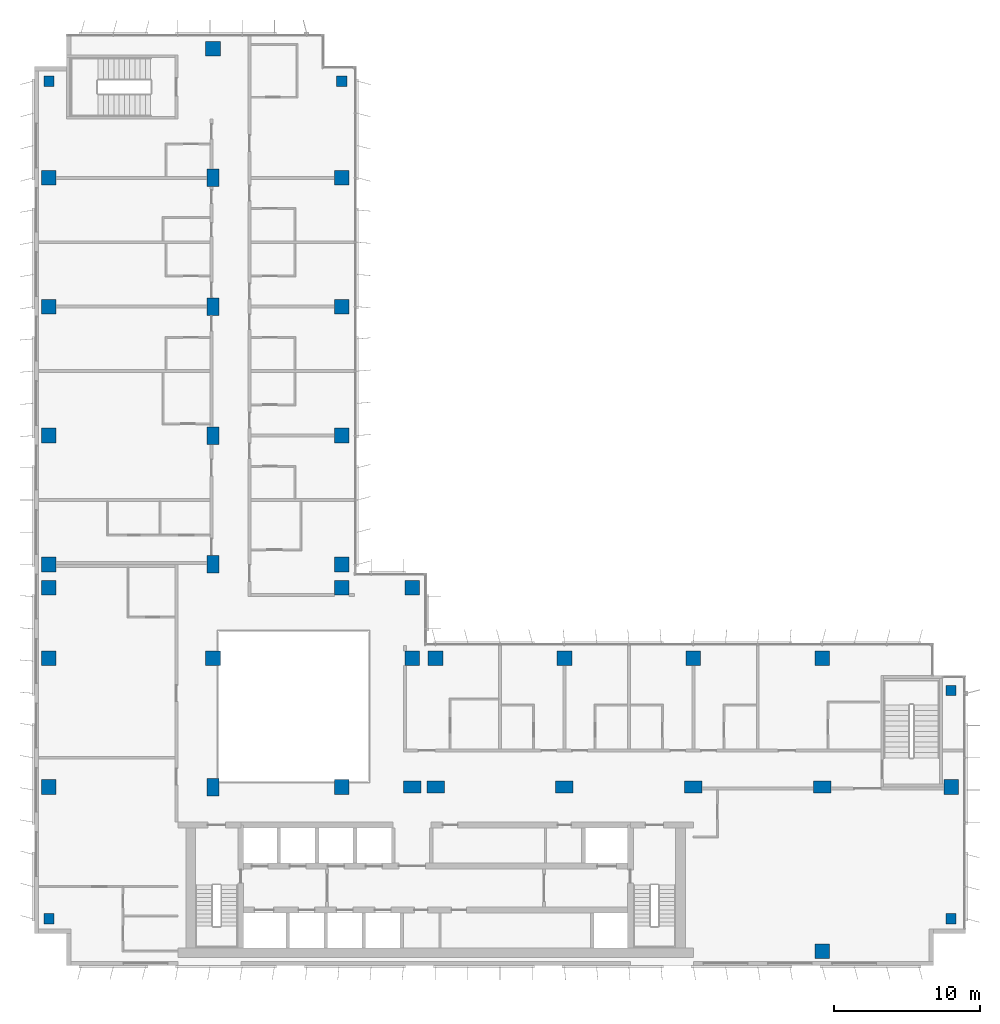
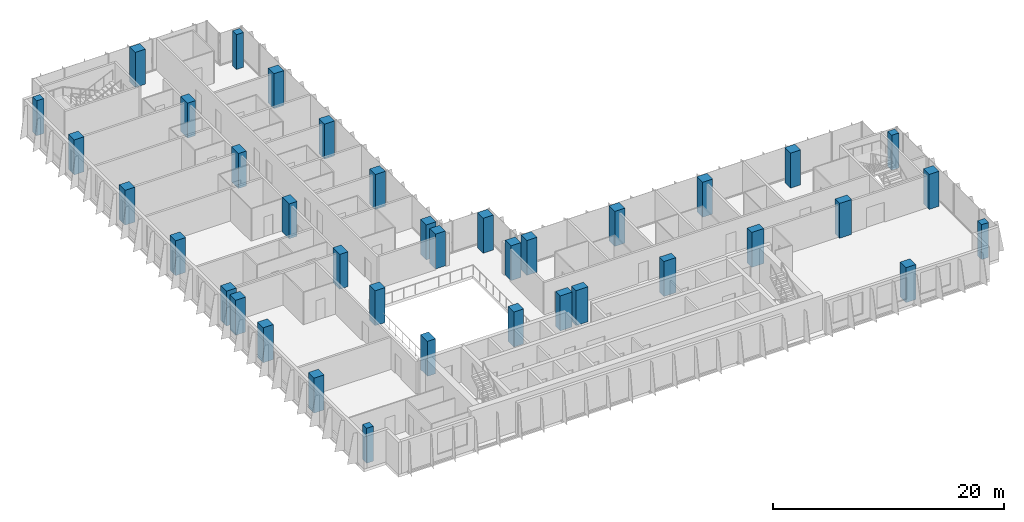
# One storey, part 1 of 21: 38 columns.
"""IFC4 building model written with IfcOpenShell, lengths in metres."""

from ifc_helpers import new_model, si_unit, direction, frame, origin, origin_2d, place, context, subcontext, project, spatial, rectangle, extrude, material, material_profile, profile_set, type_object, element, save


model = new_model("IFC4")

# Units and contexts
model_context = context("Model", 3, precision=1e-05, world=origin(), true_north=direction((0.0, 1.0)))
body_context = subcontext(model_context, "Body", "Model", "MODEL_VIEW")
ifc_project = project(units=[si_unit("LENGTHUNIT", "METRE"), si_unit("AREAUNIT", "SQUARE_METRE"), si_unit("VOLUMEUNIT", "CUBIC_METRE"), si_unit("PLANEANGLEUNIT", "RADIAN"), si_unit("MASSUNIT", "GRAM", prefix="KILO")], contexts=[model_context])

# Site, building, storey
site_placement = place(None, origin())
site = spatial("IfcSite", under=ifc_project, at=site_placement, CompositionType="ELEMENT")
building_placement = place(site_placement, origin())
building = spatial("IfcBuilding", under=site, at=building_placement, Name="Kemantara Hotel Tower", CompositionType="ELEMENT")
storey_placement = place(building_placement, frame((0.0, 0.0, 182.699951171875)))
storey = spatial("IfcBuildingStorey", under=building, at=storey_placement, Name="L45", CompositionType="ELEMENT", Elevation=182.699951171875)

# Columns
ifc_material = material(Name="Concrete fc 60 MPa", Category="concrete")
ifc_material_profile_1 = material_profile(ifc_material, rectangle(XDim=1.0, YDim=1.0, at=origin_2d()), Name="RC 1000X1000")
ifc_profile_set_1 = profile_set([ifc_material_profile_1], Name="Concrete fc 60 MPa")
column_type_1 = type_object("IfcColumnType", Name="RC COLUMN 1000X1000 FC60", PredefinedType="COLUMN", material=ifc_profile_set_1)
for number, where, z_axis, x_axis, name in (
    (1, (1.0, 12.199951171875, 0.0), (0.0, 0.0, 1.0), (1.0, 0.0, 0.0), "COLUMN 1/BA L45"),
    (2, (1.0, 21.0, 0.0), (0.0, 0.0, 1.0), (1.0, 0.0, 0.0), "COLUMN 1/C L45"),
    (3, (1.0, 25.800048828125, 0.0), (0.0, 0.0, 1.0), (1.0, 0.0, 0.0), "COLUMN 1/CA L45"),
    (4, (1.0, 27.39990234375, 0.0), (0.0, 0.0, 1.0), (1.0, 0.0, 0.0), "COLUMN 1/D L45"),
    (5, (1.0, 36.199951171875, 0.0), (0.0, 0.0, 1.0), (1.0, 0.0, 0.0), "COLUMN 1/E L45"),
    (6, (1.0, 45.0, 0.0), (0.0, 0.0, 1.0), (1.0, 0.0, 0.0), "COLUMN 1/F L45"),
    (7, (1.0, 53.800048828125, 0.0), (0.0, 0.0, 1.0), (1.0, 0.0, 0.0), "COLUMN 1/G L45"),
    (8, (12.199951171875, 21.0, 0.0), (0.0, 0.0, 1.0), (1.0, 0.0, 0.0), "COLUMN 2A/C L45"),
    (9, (12.199951171875, 62.60009765625, 0.0), (0.0, 0.0, 1.0), (1.0, 0.0, 0.0), "COLUMN 2A/H L45"),
    (10, (21.0, 12.199951171875, 0.0), (0.0, 0.0, 1.0), (1.0, 0.0, 0.0), "COLUMN 3/BA L45"),
    (11, (21.0, 25.800048828125, 0.0), (0.0, 0.0, 1.0), (1.0, 0.0, 0.0), "COLUMN 3/CA L45"),
    (12, (21.0, 27.39990234375, 0.0), (0.0, 0.0, 1.0), (1.0, 0.0, 0.0), "COLUMN 3/D L45"),
    (13, (21.0, 36.199951171875, 0.0), (0.0, 0.0, 1.0), (1.0, 0.0, 0.0), "COLUMN 3/E L45"),
    (14, (21.0, 45.0, 0.0), (0.0, 0.0, 1.0), (1.0, 0.0, 0.0), "COLUMN 3/F L45"),
    (15, (21.0, 53.800048828125, 0.0), (0.0, 0.0, 1.0), (1.0, 0.0, 0.0), "COLUMN 3/G L45"),
    (16, (25.800048828125, 21.0, 0.0), (0.0, 0.0, 1.0), (1.0, 0.0, 0.0), "COLUMN 3A/C L45"),
    (17, (25.800048828125, 25.800048828125, 0.0), (0.0, 0.0, 1.0), (1.0, 0.0, 0.0), "COLUMN 3A/CA L45"),
    (18, (27.39990234375, 21.0, 0.0), (0.0, 0.0, 1.0), (1.0, 0.0, 0.0), "COLUMN 4/C L45"),
    (19, (36.199951171875, 21.0, 0.0), (0.0, 0.0, 1.0), (1.0, 0.0, 0.0), "COLUMN 5/C L45"),
    (20, (45.0, 21.0, 0.0), (0.0, 0.0, 1.0), (1.0, 0.0, 0.0), "COLUMN 6/C L45"),
    (21, (53.800048828125, 1.0, 0.0), (0.0, 0.0, 1.0), (1.0, 0.0, 0.0), "COLUMN 7/A L45"),
    (22, (53.800048828125, 21.0, 0.0), (0.0, 0.0, 1.0), (1.0, 0.0, 0.0), "COLUMN 7/C L45"),
    (23, (62.60009765625, 12.199951171875, 0.0), (0.0, 0.0, 1.0), (1.0, 0.0, 0.0), "COLUMN 8/BA L45"),
):
    element("IfcColumn", number, at=place(storey_placement, frame(where, z_axis=z_axis, x_axis=x_axis)), inside=storey, type_object=column_type_1, Name=name, PredefinedType="COLUMN", context=body_context, shape_type="SweptSolid", body=[
        extrude(rectangle(XDim=1.0, YDim=1.0, at=origin_2d()), origin(), (0.0, 0.0, 1.0), 3.699951171875),
    ])
ifc_material_profile_2 = material_profile(ifc_material, rectangle(XDim=1.199951171875, YDim=0.800048828125, at=origin_2d()), Name="RC 1200X800")
ifc_profile_set_2 = profile_set([ifc_material_profile_2], Name="Concrete fc 60 MPa")
column_type_2 = type_object("IfcColumnType", Name="RC COLUMN 1200X800 FC60", PredefinedType="COLUMN", material=ifc_profile_set_2)
for number, where, z_axis, x_axis, name in (
    (24, (12.199951171875, 12.199951171875, 0.0), (0.0, 0.0, 1.0), (0.0, 1.0, 0.0), "COLUMN 2A/BA L45"),
    (25, (12.199951171875, 27.39990234375, 0.0), (0.0, 0.0, 1.0), (0.0, 1.0, 0.0), "COLUMN 2A/D L45"),
    (26, (12.199951171875, 36.199951171875, 0.0), (0.0, 0.0, 1.0), (0.0, 1.0, 0.0), "COLUMN 2A/E L45"),
    (27, (12.199951171875, 45.0, 0.0), (0.0, 0.0, 1.0), (0.0, 1.0, 0.0), "COLUMN 2A/F L45"),
    (28, (12.199951171875, 53.800048828125, 0.0), (0.0, 0.0, 1.0), (0.0, 1.0, 0.0), "COLUMN 2A/G L45"),
    (29, (25.800048828125, 12.199951171875, 0.0), (0.0, 0.0, 1.0), (1.0, 0.0, 0.0), "COLUMN 3A/BA L45"),
    (30, (27.39990234375, 12.199951171875, 0.0), (0.0, 0.0, 1.0), (1.0, 0.0, 0.0), "COLUMN 4/BA L45"),
    (31, (36.199951171875, 12.199951171875, 0.0), (0.0, 0.0, 1.0), (1.0, 0.0, 0.0), "COLUMN 5/BA L45"),
    (32, (45.0, 12.199951171875, 0.0), (0.0, 0.0, 1.0), (1.0, 0.0, 0.0), "COLUMN 6/BA L45"),
    (33, (53.800048828125, 12.199951171875, 0.0), (0.0, 0.0, 1.0), (1.0, 0.0, 0.0), "COLUMN 7/BA L45"),
):
    element("IfcColumn", number, at=place(storey_placement, frame(where, z_axis=z_axis, x_axis=x_axis)), inside=storey, type_object=column_type_2, Name=name, PredefinedType="COLUMN", context=body_context, shape_type="SweptSolid", body=[
        extrude(rectangle(XDim=1.199951171875, YDim=0.800048828125, at=origin_2d()), origin(), (0.0, 0.0, 1.0), 3.699951171875),
    ])
ifc_material_profile_3 = material_profile(ifc_material, rectangle(XDim=0.699951171875, YDim=0.699951171875, at=origin_2d()), Name="RC 700X700")
ifc_profile_set_3 = profile_set([ifc_material_profile_3], Name="Concrete fc 60 MPa")
column_type_3 = type_object("IfcColumnType", Name="RC COLUMN 700X700 FC60", PredefinedType="COLUMN", material=ifc_profile_set_3)
for number, where, z_axis, x_axis, name in (
    (34, (1.0, 3.199951171875, 0.0), (0.0, 0.0, 1.0), (1.0, 0.0, 0.0), "COLUMN notch corner L45"),
    (35, (1.0, 60.39990234375, 0.0), (0.0, 0.0, 1.0), (1.0, 0.0, 0.0), "COLUMN notch corner L45"),
    (36, (21.0, 60.39990234375, 0.0), (0.0, 0.0, 1.0), (1.0, 0.0, 0.0), "COLUMN notch corner L45"),
    (37, (62.60009765625, 3.199951171875, 0.0), (0.0, 0.0, 1.0), (1.0, 0.0, 0.0), "COLUMN notch corner L45"),
    (38, (62.60009765625, 18.800048828125, 0.0), (0.0, 0.0, 1.0), (1.0, 0.0, 0.0), "COLUMN notch corner L45"),
):
    element("IfcColumn", number, at=place(storey_placement, frame(where, z_axis=z_axis, x_axis=x_axis)), inside=storey, type_object=column_type_3, Name=name, PredefinedType="COLUMN", context=body_context, shape_type="SweptSolid", body=[
        extrude(rectangle(XDim=0.699951171875, YDim=0.699951171875, at=origin_2d()), origin(), (0.0, 0.0, 1.0), 3.699951171875),
    ])

save(model, "model.ifc")
